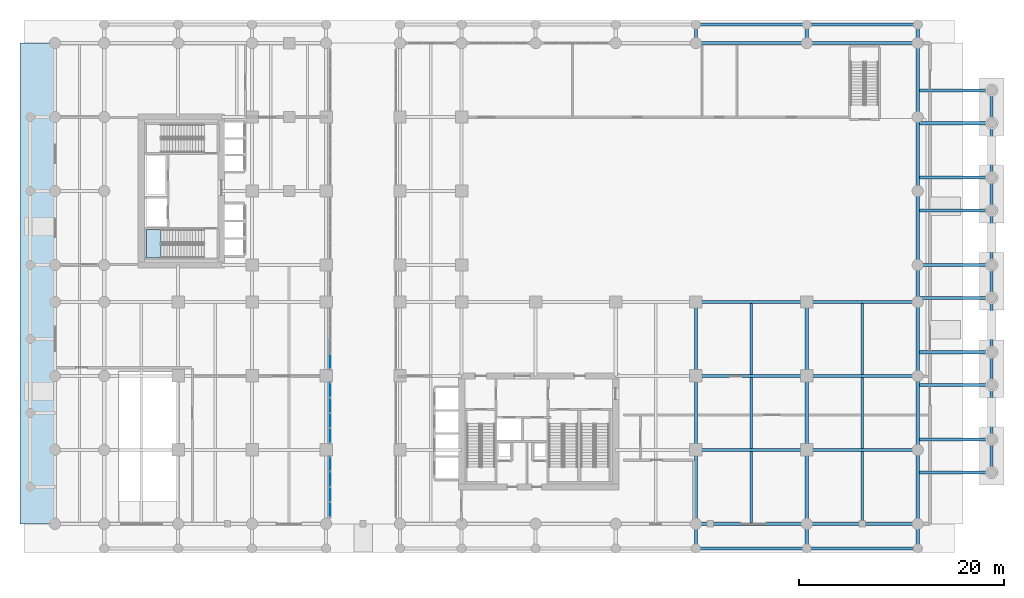
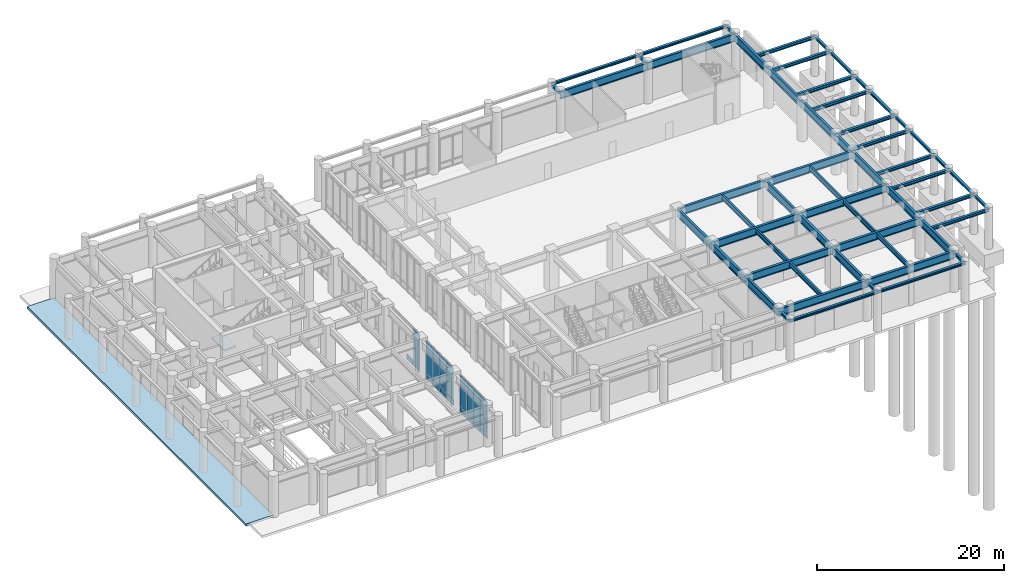
# One storey, part 9 of 23: 58 beams, 19 plates, 2 slabs, 4 elements without a shape of their own.
"""IFC4 building model written with IfcOpenShell, lengths in metres."""

import ifcopenshell
import ifcopenshell.guid

model = None  # the IFC model being written
_history = None  # IfcOwnerHistory: only IFC2X3 demands one
_inside = {}  # id of a spatial element -> (the spatial element, [elements in it])
_under = {}  # id of a project, library or spatial element -> (it, [spatial elements below it])
_declared = {}  # id of a project -> (the project, [libraries it declares])
_typed = {}  # id of a type object -> (the type object, [elements of that type])
_made_of = {}  # id of a material, layer set ... -> (it, [elements and type objects made of it])


def new_model(schema):
    """Start an empty IFC model of exactly this schema.

    Asked for "IFC4X3", IfcOpenShell would pick the latest addendum, in which some entities
    have other attributes; the version numbers below select the first issue.
    IFC2X3 requires an IfcOwnerHistory on every rooted entity: one is made here for all.
    """
    global model, _history
    if schema == "IFC4X3":
        model = ifcopenshell.file(schema_version=(4, 3, 0, 0))
    else:
        model = ifcopenshell.file(schema=schema)
    _inside.clear()
    _under.clear()
    _declared.clear()
    _typed.clear()
    _made_of.clear()
    _history = None
    if model.schema == "IFC2X3":
        org = make("IfcOrganization", Name="unknown")
        user = make(
            "IfcPersonAndOrganization",
            ThePerson=make("IfcPerson", FamilyName="unknown"),
            TheOrganization=org,
        )
        app = make(
            "IfcApplication",
            ApplicationDeveloper=org,
            Version="unknown",
            ApplicationFullName="unknown",
            ApplicationIdentifier="unknown",
        )
        _history = make(
            "IfcOwnerHistory",
            OwningUser=user,
            OwningApplication=app,
            ChangeAction="ADDED",
            CreationDate=0,
        )
    return model


def make(cls, **values):
    """One entity of the class cls with the attributes given. An attribute that is None is left unset."""
    return model.create_entity(
        cls, **{name: value for name, value in values.items() if value is not None}
    )


def rooted(cls, **values):
    """An entity with a GlobalId (a new one), such as an element, a storey or a relation."""
    return make(cls, GlobalId=ifcopenshell.guid.new(), OwnerHistory=_history, **values)


def si_unit(unit_type, name, prefix=None):
    """IfcSIUnit, for example si_unit("LENGTHUNIT", "METRE", prefix="MILLI")."""
    return make("IfcSIUnit", UnitType=unit_type, Prefix=prefix, Name=name)


def derived_unit(unit_type, elements):
    """IfcDerivedUnit: a product of units, each with its exponent."""
    return make(
        "IfcDerivedUnit",
        Elements=[
            make("IfcDerivedUnitElement", Unit=unit, Exponent=power)
            for unit, power in elements
        ],
        UnitType=unit_type,
    )


def assignment(units):
    """IfcUnitAssignment: the units of a project."""
    return None if units is None else make("IfcUnitAssignment", Units=units)


def point(xyz):
    """IfcCartesianPoint."""
    return None if xyz is None else make("IfcCartesianPoint", Coordinates=xyz)


def direction(xyz):
    """IfcDirection."""
    return None if xyz is None else make("IfcDirection", DirectionRatios=xyz)


def frame(location, z_axis=None, x_axis=None):
    """IfcAxis2Placement3D, a coordinate frame: its origin and axes. An axis left out is left unset."""
    return make(
        "IfcAxis2Placement3D",
        Location=point(location),
        Axis=direction(z_axis),
        RefDirection=direction(x_axis),
    )


def frame_2d(location, x_axis=None):
    """IfcAxis2Placement2D, a coordinate frame in the plane: its origin and x axis."""
    return make(
        "IfcAxis2Placement2D", Location=point(location), RefDirection=direction(x_axis)
    )


def origin():
    """The frame at (0, 0, 0) with its axes left unset."""
    return frame((0.0, 0.0, 0.0))


def origin_2d():
    """The frame at (0, 0) in the plane with its x axis left unset."""
    return frame_2d((0.0, 0.0))


def place(relative_to, where):
    """IfcLocalPlacement: puts the frame where relative to a parent placement (None: the world)."""
    return make(
        "IfcLocalPlacement", PlacementRelTo=relative_to, RelativePlacement=where
    )


def context(
    kind, dimensions, precision=None, world=None, true_north=None, identifier=None
):
    """IfcGeometricRepresentationContext, for example the 3D "Model" context."""
    return make(
        "IfcGeometricRepresentationContext",
        ContextIdentifier=identifier,
        ContextType=kind,
        CoordinateSpaceDimension=dimensions,
        Precision=precision,
        WorldCoordinateSystem=world,
        TrueNorth=true_north,
    )


def subcontext(parent, identifier, kind, view, scale=None):
    """IfcGeometricRepresentationSubContext, for example "Body" below "Model"."""
    return make(
        "IfcGeometricRepresentationSubContext",
        ContextIdentifier=identifier,
        ContextType=kind,
        ParentContext=parent,
        TargetScale=scale,
        TargetView=view,
    )


def project(units=None, contexts=None):
    """IfcProject with its units and contexts."""
    return rooted(
        "IfcProject",
        Name="project",
        RepresentationContexts=contexts,
        UnitsInContext=assignment(units),
    )


def spatial(cls, under=None, at=None, **own):
    """A site, building, storey or space (cls), placed at a placement, below another one or the project."""
    s = rooted(cls, ObjectPlacement=at, **own)
    if under is not None:
        _under.setdefault(under.id(), (under, []))[1].append(s)
    return s


def polyline(points):
    """IfcPolyline through the points."""
    return make("IfcPolyline", Points=[point(p) for p in points])


def profile(cls, at=None, kind="AREA", **sizes):
    """A parametric profile (cls). Its sizes go by their IFC names, for example OverallWidth=200.0."""
    return make(cls, ProfileType=kind, Position=at, **sizes)


def rectangle(**sizes):
    """IfcRectangleProfileDef."""
    return profile("IfcRectangleProfileDef", **sizes)


def i_section(**sizes):
    """IfcIShapeProfileDef."""
    return profile("IfcIShapeProfileDef", **sizes)


def outline(outer, holes=None, kind="AREA"):
    """IfcArbitraryClosedProfileDef: a profile drawn as a closed curve; with holes, ...WithVoids."""
    if holes is None:
        return make("IfcArbitraryClosedProfileDef", ProfileType=kind, OuterCurve=outer)
    return make(
        "IfcArbitraryProfileDefWithVoids",
        ProfileType=kind,
        OuterCurve=outer,
        InnerCurves=holes,
    )


def extrude(swept, where, along, depth):
    """IfcExtrudedAreaSolid: the profile swept, set in the frame where, extruded along a direction by depth."""
    return make(
        "IfcExtrudedAreaSolid",
        SweptArea=swept,
        Position=where,
        ExtrudedDirection=direction(along),
        Depth=depth,
    )


def shape(context_of_items, identifier, shape_type, items):
    """IfcShapeRepresentation: the items that make up one representation, for example the "Body"."""
    return make(
        "IfcShapeRepresentation",
        ContextOfItems=context_of_items,
        RepresentationIdentifier=identifier,
        RepresentationType=shape_type,
        Items=items,
    )


def source(mapping_origin, context_of_items, identifier, shape_type, items):
    """IfcRepresentationMap: a shape defined once, which mapped items show again and again."""
    return make(
        "IfcRepresentationMap",
        MappingOrigin=mapping_origin,
        MappedRepresentation=shape(context_of_items, identifier, shape_type, items),
    )


def transform(
    local_origin,
    x_axis=None,
    y_axis=None,
    z_axis=None,
    scale=None,
    scale2=None,
    scale3=None,
    uniform=True,
):
    """IfcCartesianTransformationOperator3D, or its non-uniform kind. x_axis, y_axis, z_axis: its Axis1, 2, 3."""
    if uniform:
        return make(
            "IfcCartesianTransformationOperator3D",
            Axis1=direction(x_axis),
            Axis2=direction(y_axis),
            LocalOrigin=point(local_origin),
            Scale=scale,
            Axis3=direction(z_axis),
        )
    return make(
        "IfcCartesianTransformationOperator3DnonUniform",
        Axis1=direction(x_axis),
        Axis2=direction(y_axis),
        LocalOrigin=point(local_origin),
        Scale=scale,
        Axis3=direction(z_axis),
        Scale2=scale2,
        Scale3=scale3,
    )


def mapped(mapping_source, mapping_target):
    """IfcMappedItem: shows the shape of a source again, moved by a transform."""
    return make(
        "IfcMappedItem", MappingSource=mapping_source, MappingTarget=mapping_target
    )


def material(Name=None, Category=None):
    """IfcMaterial."""
    return make("IfcMaterial", Name=Name, Category=Category)


def layer(
    of_material, thickness, ventilated=None, Name=None, Category=None, Priority=None
):
    """IfcMaterialLayer: one layer of a wall or slab, of a material (None: an air gap)."""
    return make(
        "IfcMaterialLayer",
        Material=of_material,
        LayerThickness=thickness,
        IsVentilated=ventilated,
        Name=Name,
        Category=Category,
        Priority=Priority,
    )


def layer_set(layers, Name=None):
    """IfcMaterialLayerSet."""
    return make("IfcMaterialLayerSet", MaterialLayers=layers, LayerSetName=Name)


def material_profile(
    of_material, cross_section, Name=None, Category=None, Priority=None
):
    """IfcMaterialProfile: a cross section and its material."""
    return make(
        "IfcMaterialProfile",
        Name=Name,
        Material=of_material,
        Profile=cross_section,
        Priority=Priority,
        Category=Category,
    )


def profile_set(profiles, Name=None, composite=None):
    """IfcMaterialProfileSet."""
    return make(
        "IfcMaterialProfileSet",
        Name=Name,
        MaterialProfiles=profiles,
        CompositeProfile=composite,
    )


def made_of(thing, what):
    """Note that an element or type object is made of a material, layer set ...; save() writes the relation."""
    if what is not None:
        _made_of.setdefault(what.id(), (what, []))[1].append(thing)
    return thing


def type_object(cls, material=None, **own):
    """A type object (cls), such as IfcWallType, which elements share."""
    return made_of(rooted(cls, **own), material)


def type_shapes(of_type, sources):
    """Give a type object the sources (RepresentationMaps) that its elements show as mapped items."""
    of_type.RepresentationMaps = sources


def element(
    cls,
    number,
    at=None,
    inside=None,
    cuts=None,
    type_object=None,
    material=None,
    context=None,
    identifier="Body",
    shape_type=None,
    held_by="IfcProductDefinitionShape",
    body=None,
    shapes=None,
    **own,
):
    """One element of the class cls, such as IfcWall. Its Tag is "e" and its number.

    at: its placement. inside: the storey or other place that contains it. cuts: it is an
    opening in that element (IfcRelVoidsElement). A single representation is given by context,
    identifier, shape_type and body (its items); several are given by shapes. held_by: the class
    of the entity that holds the representations. save() writes the other relations.
    """
    e = rooted(cls, Tag="e%d" % number, ObjectPlacement=at, **own)
    if body is not None:
        shapes = [shape(context, identifier, shape_type, body)]
    if shapes is not None:
        e.Representation = make(held_by, Representations=shapes)
    if inside is not None:
        _inside.setdefault(inside.id(), (inside, []))[1].append(e)
    if cuts is not None:
        rooted(
            "IfcRelVoidsElement", RelatingBuildingElement=cuts, RelatedOpeningElement=e
        )
    if type_object is not None:
        _typed.setdefault(type_object.id(), (type_object, []))[1].append(e)
    return made_of(e, material)


def aggregate(whole, parts):
    """IfcRelAggregates: a whole, such as a stair, and the parts it consists of."""
    return rooted("IfcRelAggregates", RelatingObject=whole, RelatedObjects=parts)


def save(model, path):
    """Write the relations noted so far, then the file.

    IfcRelAggregates (storeys below a building ...), IfcRelContainedInSpatialStructure (elements
    in a storey), IfcRelDefinesByType, IfcRelAssociatesMaterial and IfcRelDeclares: one each for
    every whole, place, type object, material and project.
    """
    for whole, parts in _under.values():
        aggregate(whole, parts)
    for where, things in _inside.values():
        rooted(
            "IfcRelContainedInSpatialStructure",
            RelatedElements=things,
            RelatingStructure=where,
        )
    for kind, things in _typed.values():
        rooted("IfcRelDefinesByType", RelatedObjects=things, RelatingType=kind)
    for what, things in _made_of.values():
        rooted("IfcRelAssociatesMaterial", RelatedObjects=things, RelatingMaterial=what)
    for by, libraries in _declared.values():
        rooted("IfcRelDeclares", RelatingContext=by, RelatedDefinitions=libraries)
    model.write(path)


model = new_model("IFC4")

# Units and contexts
model_context = context("Model", 3, precision=1e-05, world=origin(), true_north=direction((0.0, 1.0)))
body_context = subcontext(model_context, "Body", "Model", "MODEL_VIEW")
ifc_project = project(units=[si_unit("LENGTHUNIT", "METRE"), si_unit("AREAUNIT", "SQUARE_METRE"), si_unit("VOLUMEUNIT", "CUBIC_METRE"), si_unit("PLANEANGLEUNIT", "RADIAN"), si_unit("MASSUNIT", "GRAM", prefix="KILO"), si_unit("THERMODYNAMICTEMPERATUREUNIT", "KELVIN"), si_unit("POWERUNIT", "WATT"), derived_unit("THERMALTRANSMITTANCEUNIT", [(si_unit("POWERUNIT", "WATT"), 1), (si_unit("AREAUNIT", "SQUARE_METRE"), -1), (si_unit("THERMODYNAMICTEMPERATUREUNIT", "KELVIN"), -1)])], contexts=[model_context])

# Site, building, storey
site_placement = place(None, origin())
site = spatial("IfcSite", under=ifc_project, at=site_placement, CompositionType="ELEMENT")
building_placement = place(site_placement, origin())
building = spatial("IfcBuilding", under=site, at=building_placement, Name="Zahravan Archway Hotel and Residences", CompositionType="ELEMENT")
storey_placement = place(building_placement, origin())
storey = spatial("IfcBuildingStorey", under=building, at=storey_placement, Name="L00", CompositionType="ELEMENT", Elevation=0.0)

# Beams
ifc_material_1 = material(Name="Structural Steel S355J2", Category="steel")
ifc_material_profile_1 = material_profile(ifc_material_1, i_section(OverallWidth=0.300048828125, OverallDepth=1.0, WebThickness=0.01904296875, FlangeThickness=0.035888671875, FilletRadius=0.030029296875, at=origin_2d()), Name="HEB 1000", Category="steel")
ifc_profile_set_1 = profile_set([ifc_material_profile_1], Name="Structural Steel S355J2")
beam_type_1 = type_object("IfcBeamType", Name="BM-PRI-HEB1000", PredefinedType="BEAM", material=ifc_profile_set_1)
shared_shape_1 = source(origin(), body_context, "Body", "SweptSolid", [
    extrude(i_section(OverallWidth=0.300048828125, OverallDepth=1.0, WebThickness=0.01904296875, FlangeThickness=0.035888671875, FilletRadius=0.030029296875, at=origin_2d()), origin(), (0.0, 0.0, 1.0), 7.199951171875),
])
for number, where, z_axis, x_axis, name in (
    (1, (57.60009765625, 0.0, 4.60009765625), (0.0, 1.0, 0.0), (-1.0, 0.0, 0.0), "L00 Primary Girder NS-109"),
    (2, (57.60009765625, 7.199951171875, 4.60009765625), (0.0, 1.0, 0.0), (-1.0, 0.0, 0.0), "L00 Primary Girder NS-110"),
    (3, (68.39990234375, 0.0, 4.60009765625), (0.0, 1.0, 0.0), (-1.0, 0.0, 0.0), "L00 Primary Girder NS-112"),
    (4, (68.39990234375, 7.199951171875, 4.60009765625), (0.0, 1.0, 0.0), (-1.0, 0.0, 0.0), "L00 Primary Girder NS-113"),
    (5, (79.199951171875, 0.0, 4.60009765625), (0.0, 1.0, 0.0), (-1.0, 0.0, 0.0), "L00 Primary Girder NS-115"),
    (6, (79.199951171875, 7.199951171875, 4.60009765625), (0.0, 1.0, 0.0), (-1.0, 0.0, 0.0), "L00 Primary Girder NS-116"),
    (7, (79.199951171875, 25.199951171875, 4.60009765625), (0.0, 1.0, 0.0), (-1.0, 0.0, 0.0), "L00 Primary Girder NS-119"),
    (8, (79.199951171875, 39.60009765625, 4.60009765625), (0.0, 1.0, 0.0), (-1.0, 0.0, 0.0), "L00 Primary Girder NS-121"),
):
    element("IfcBeam", number, at=place(storey_placement, frame(where, z_axis=z_axis, x_axis=x_axis)), inside=storey, type_object=beam_type_1, Name=name, PredefinedType="BEAM", context=body_context, shape_type="MappedRepresentation", body=[
        mapped(shared_shape_1, transform((0.0, 0.0, 0.0), scale=1.0)),
    ])
shared_shape_2 = source(origin(), body_context, "Body", "SweptSolid", [
    extrude(i_section(OverallWidth=0.300048828125, OverallDepth=1.0, WebThickness=0.01904296875, FlangeThickness=0.035888671875, FilletRadius=0.030029296875, at=origin_2d()), origin(), (0.0, 0.0, 1.0), 7.2001953125),
])
for number, where, z_axis, x_axis, name in (
    (9, (57.60009765625, 14.39990234375, 4.60009765625), (0.0, 1.0, 0.0), (-1.0, 0.0, 0.0), "L00 Primary Girder NS-111"),
    (10, (68.39990234375, 14.39990234375, 4.60009765625), (0.0, 1.0, 0.0), (-1.0, 0.0, 0.0), "L00 Primary Girder NS-114"),
    (11, (79.199951171875, 14.39990234375, 4.60009765625), (0.0, 1.0, 0.0), (-1.0, 0.0, 0.0), "L00 Primary Girder NS-117"),
    (12, (79.199951171875, 32.39990234375, 4.60009765625), (0.0, 1.0, 0.0), (-1.0, 0.0, 0.0), "L00 Primary Girder NS-120"),
):
    element("IfcBeam", number, at=place(storey_placement, frame(where, z_axis=z_axis, x_axis=x_axis)), inside=storey, type_object=beam_type_1, Name=name, PredefinedType="BEAM", context=body_context, shape_type="MappedRepresentation", body=[
        mapped(shared_shape_2, transform((0.0, 0.0, 0.0), scale=1.0)),
    ])
shared_shape_3 = source(origin(), body_context, "Body", "SweptSolid", [
    extrude(i_section(OverallWidth=0.300048828125, OverallDepth=1.0, WebThickness=0.01904296875, FlangeThickness=0.035888671875, FilletRadius=0.030029296875, at=origin_2d()), origin(), (0.0, 0.0, 1.0), 10.7998046875),
])
for number, where, z_axis, x_axis, name in (
    (13, (57.60009765625, 0.0, 4.60009765625), (1.0, 0.0, 0.0), (0.0, 1.0, 0.0), "L00 Primary Girder EW-09"),
    (14, (57.60009765625, 7.199951171875, 4.60009765625), (1.0, 0.0, 0.0), (0.0, 1.0, 0.0), "L00 Primary Girder EW-17"),
    (15, (57.60009765625, 14.39990234375, 4.60009765625), (1.0, 0.0, 0.0), (0.0, 1.0, 0.0), "L00 Primary Girder EW-25"),
    (16, (57.60009765625, 21.60009765625, 4.60009765625), (1.0, 0.0, 0.0), (0.0, 1.0, 0.0), "L00 Primary Girder EW-35"),
    (17, (57.60009765625, 46.800048828125, 4.60009765625), (1.0, 0.0, 0.0), (0.0, 1.0, 0.0), "L00 Primary Girder EW-60"),
):
    element("IfcBeam", number, at=place(storey_placement, frame(where, z_axis=z_axis, x_axis=x_axis)), inside=storey, type_object=beam_type_1, Name=name, PredefinedType="BEAM", context=body_context, shape_type="MappedRepresentation", body=[
        mapped(shared_shape_3, transform((0.0, 0.0, 0.0), scale=1.0)),
    ])
shared_shape_4 = source(origin(), body_context, "Body", "SweptSolid", [
    extrude(i_section(OverallWidth=0.300048828125, OverallDepth=1.0, WebThickness=0.01904296875, FlangeThickness=0.035888671875, FilletRadius=0.030029296875, at=origin_2d()), origin(), (0.0, 0.0, 1.0), 10.800048828125),
])
for number, where, z_axis, x_axis, name in (
    (18, (68.39990234375, 0.0, 4.60009765625), (1.0, 0.0, 0.0), (0.0, 1.0, 0.0), "L00 Primary Girder EW-10"),
    (19, (68.39990234375, 7.199951171875, 4.60009765625), (1.0, 0.0, 0.0), (0.0, 1.0, 0.0), "L00 Primary Girder EW-18"),
    (20, (68.39990234375, 14.39990234375, 4.60009765625), (1.0, 0.0, 0.0), (0.0, 1.0, 0.0), "L00 Primary Girder EW-26"),
    (21, (68.39990234375, 21.60009765625, 4.60009765625), (1.0, 0.0, 0.0), (0.0, 1.0, 0.0), "L00 Primary Girder EW-36"),
    (22, (68.39990234375, 46.800048828125, 4.60009765625), (1.0, 0.0, 0.0), (0.0, 1.0, 0.0), "L00 Primary Girder EW-61"),
):
    element("IfcBeam", number, at=place(storey_placement, frame(where, z_axis=z_axis, x_axis=x_axis)), inside=storey, type_object=beam_type_1, Name=name, PredefinedType="BEAM", context=body_context, shape_type="MappedRepresentation", body=[
        mapped(shared_shape_4, transform((0.0, 0.0, 0.0), scale=1.0)),
    ])
shared_shape_5 = source(origin(), body_context, "Body", "SweptSolid", [
    extrude(i_section(OverallWidth=0.300048828125, OverallDepth=1.0, WebThickness=0.01904296875, FlangeThickness=0.035888671875, FilletRadius=0.030029296875, at=origin_2d()), origin(), (0.0, 0.0, 1.0), 3.599853515625),
])
beam_placement = place(storey_placement, frame((79.199951171875, 21.60009765625, 4.60009765625), z_axis=(0.0, 1.0, 0.0), x_axis=(-1.0, 0.0, 0.0)))
element("IfcBeam", 23, at=beam_placement, inside=storey, type_object=beam_type_1, Name="L00 Primary Girder NS-118", PredefinedType="BEAM", context=body_context, shape_type="MappedRepresentation", body=[
    mapped(shared_shape_5, transform((0.0, 0.0, 0.0), scale=1.0)),
])
ifc_material_2 = material(Name="Structural Steel S355JR", Category="steel")
ifc_material_profile_2 = material_profile(ifc_material_2, i_section(OverallWidth=0.219970703125, OverallDepth=0.60009765625, WebThickness=0.011962890625, FlangeThickness=0.01904296875, FilletRadius=0.02392578125, at=origin_2d()), Name="IPE 600", Category="steel")
ifc_profile_set_2 = profile_set([ifc_material_profile_2], Name="Structural Steel S355JR")
beam_type_2 = type_object("IfcBeamType", Name="BM-JST-IPE600", PredefinedType="JOIST", material=ifc_profile_set_2)
shared_shape_6 = source(origin(), body_context, "Body", "SweptSolid", [
    extrude(i_section(OverallWidth=0.219970703125, OverallDepth=0.60009765625, WebThickness=0.011962890625, FlangeThickness=0.01904296875, FilletRadius=0.02392578125, at=origin_2d()), origin(), (0.0, 0.0, 1.0), 6.904052734375),
])
type_shapes(beam_type_2, [shared_shape_6])
for number, where, z_axis, x_axis, name in (
    (24, (63.0, 0.14794921875, 4.800048828125), (0.0, 1.0, 0.0), (-1.0, 0.0, 0.0), "L00 Composite Floor Joist 07"),
    (25, (73.800048828125, 0.14794921875, 4.800048828125), (0.0, 1.0, 0.0), (-1.0, 0.0, 0.0), "L00 Composite Floor Joist 08"),
    (26, (63.0, 7.347900390625, 4.800048828125), (0.0, 1.0, 0.0), (-1.0, 0.0, 0.0), "L00 Composite Floor Joist 15"),
    (27, (73.800048828125, 7.347900390625, 4.800048828125), (0.0, 1.0, 0.0), (-1.0, 0.0, 0.0), "L00 Composite Floor Joist 16"),
):
    element("IfcBeam", number, at=place(storey_placement, frame(where, z_axis=z_axis, x_axis=x_axis)), inside=storey, type_object=beam_type_2, Name=name, PredefinedType="JOIST", context=body_context, shape_type="MappedRepresentation", body=[
        mapped(shared_shape_6, transform((0.0, 0.0, 0.0), scale=1.0)),
    ])
shared_shape_7 = source(origin(), body_context, "Body", "SweptSolid", [
    extrude(i_section(OverallWidth=0.219970703125, OverallDepth=0.60009765625, WebThickness=0.011962890625, FlangeThickness=0.01904296875, FilletRadius=0.02392578125, at=origin_2d()), origin(), (0.0, 0.0, 1.0), 6.90380859375),
])
for number, where, z_axis, x_axis, name in (
    (28, (63.0, 14.548095703125, 4.800048828125), (0.0, 1.0, 0.0), (-1.0, 0.0, 0.0), "L00 Composite Floor Joist 23"),
    (29, (73.800048828125, 14.548095703125, 4.800048828125), (0.0, 1.0, 0.0), (-1.0, 0.0, 0.0), "L00 Composite Floor Joist 24"),
):
    element("IfcBeam", number, at=place(storey_placement, frame(where, z_axis=z_axis, x_axis=x_axis)), inside=storey, type_object=beam_type_2, Name=name, PredefinedType="JOIST", context=body_context, shape_type="MappedRepresentation", body=[
        mapped(shared_shape_7, transform((0.0, 0.0, 0.0), scale=1.0)),
    ])
ifc_material_profile_3 = material_profile(ifc_material_2, i_section(OverallWidth=0.300048828125, OverallDepth=0.39990234375, WebThickness=0.013427734375, FlangeThickness=0.02392578125, FilletRadius=0.027099609375, at=origin_2d()), Name="HEB 400", Category="steel")
ifc_profile_set_3 = profile_set([ifc_material_profile_3], Name="Structural Steel S355JR")
beam_type_3 = type_object("IfcBeamType", Name="BM-PRI-HEB400", PredefinedType="BEAM", material=ifc_profile_set_3)
shared_shape_8 = source(origin(), body_context, "Body", "SweptSolid", [
    extrude(i_section(OverallWidth=0.300048828125, OverallDepth=0.39990234375, WebThickness=0.013427734375, FlangeThickness=0.02392578125, FilletRadius=0.027099609375, at=origin_2d()), origin(), (0.0, 0.0, 1.0), 7.199951171875),
])
type_shapes(beam_type_3, [shared_shape_8])
for number, where, z_axis, x_axis, name in (
    (30, (79.199951171875, 5.0, 4.89990234375), (1.0, 0.0, 0.0), (0.0, 1.0, 0.0), "L00 East Colonnade Tie Girder 1"),
    (31, (79.199951171875, 8.199951171875, 4.89990234375), (1.0, 0.0, 0.0), (0.0, 1.0, 0.0), "L00 East Colonnade Tie Girder 2"),
    (32, (79.199951171875, 13.5, 4.89990234375), (1.0, 0.0, 0.0), (0.0, 1.0, 0.0), "L00 East Colonnade Tie Girder 3"),
    (33, (79.199951171875, 16.699951171875, 4.89990234375), (1.0, 0.0, 0.0), (0.0, 1.0, 0.0), "L00 East Colonnade Tie Girder 4"),
    (34, (79.199951171875, 22.0, 4.89990234375), (1.0, 0.0, 0.0), (0.0, 1.0, 0.0), "L00 East Colonnade Tie Girder 5"),
    (35, (79.199951171875, 25.199951171875, 4.89990234375), (1.0, 0.0, 0.0), (0.0, 1.0, 0.0), "L00 East Colonnade Tie Girder 6"),
    (36, (79.199951171875, 30.5, 4.89990234375), (1.0, 0.0, 0.0), (0.0, 1.0, 0.0), "L00 East Colonnade Tie Girder 7"),
    (37, (79.199951171875, 33.699951171875, 4.89990234375), (1.0, 0.0, 0.0), (0.0, 1.0, 0.0), "L00 East Colonnade Tie Girder 8"),
    (38, (79.199951171875, 39.0, 4.89990234375), (1.0, 0.0, 0.0), (0.0, 1.0, 0.0), "L00 East Colonnade Tie Girder 9"),
    (39, (79.199951171875, 42.199951171875, 4.89990234375), (1.0, 0.0, 0.0), (0.0, 1.0, 0.0), "L00 East Colonnade Tie Girder 10"),
):
    element("IfcBeam", number, at=place(storey_placement, frame(where, z_axis=z_axis, x_axis=x_axis)), inside=storey, type_object=beam_type_3, Name=name, PredefinedType="BEAM", context=body_context, shape_type="MappedRepresentation", body=[
        mapped(shared_shape_8, transform((0.0, 0.0, 0.0), scale=1.0)),
    ])
shared_shape_9 = source(origin(), body_context, "Body", "SweptSolid", [
    extrude(i_section(OverallWidth=0.300048828125, OverallDepth=0.39990234375, WebThickness=0.013427734375, FlangeThickness=0.02392578125, FilletRadius=0.027099609375, at=origin_2d()), origin(), (0.0, 0.0, 1.0), 2.39990234375),
])
for number, where, z_axis, x_axis, name in (
    (40, (57.60009765625, -2.39990234375, 4.89990234375), (0.0, 1.0, 0.0), (-1.0, 0.0, 0.0), "L00 South Colonnade Tie Girder 9"),
    (41, (68.39990234375, -2.39990234375, 4.89990234375), (0.0, 1.0, 0.0), (-1.0, 0.0, 0.0), "L00 South Colonnade Tie Girder 10"),
    (42, (79.199951171875, -2.39990234375, 4.89990234375), (0.0, 1.0, 0.0), (-1.0, 0.0, 0.0), "L00 South Colonnade Tie Girder 11"),
):
    element("IfcBeam", number, at=place(storey_placement, frame(where, z_axis=z_axis, x_axis=x_axis)), inside=storey, type_object=beam_type_3, Name=name, PredefinedType="BEAM", context=body_context, shape_type="MappedRepresentation", body=[
        mapped(shared_shape_9, transform((0.0, 0.0, 0.0), scale=1.0)),
    ])
shared_shape_10 = source(origin(), body_context, "Body", "SweptSolid", [
    extrude(i_section(OverallWidth=0.300048828125, OverallDepth=0.39990234375, WebThickness=0.013427734375, FlangeThickness=0.02392578125, FilletRadius=0.027099609375, at=origin_2d()), origin(), (0.0, 0.0, 1.0), 1.800048828125),
])
for number, where, z_axis, x_axis, name in (
    (43, (57.60009765625, 46.800048828125, 4.89990234375), (0.0, 1.0, 0.0), (-1.0, 0.0, 0.0), "L00 North Colonnade Tie Girder 9"),
    (44, (68.39990234375, 46.800048828125, 4.89990234375), (0.0, 1.0, 0.0), (-1.0, 0.0, 0.0), "L00 North Colonnade Tie Girder 10"),
    (45, (79.199951171875, 46.800048828125, 4.89990234375), (0.0, 1.0, 0.0), (-1.0, 0.0, 0.0), "L00 North Colonnade Tie Girder 11"),
):
    element("IfcBeam", number, at=place(storey_placement, frame(where, z_axis=z_axis, x_axis=x_axis)), inside=storey, type_object=beam_type_3, Name=name, PredefinedType="BEAM", context=body_context, shape_type="MappedRepresentation", body=[
        mapped(shared_shape_10, transform((0.0, 0.0, 0.0), scale=1.0)),
    ])
ifc_material_profile_4 = material_profile(ifc_material_2, i_section(OverallWidth=0.300048828125, OverallDepth=0.320068359375, WebThickness=0.011474609375, FlangeThickness=0.0205078125, FilletRadius=0.027099609375, at=origin_2d()), Name="HEB 320", Category="steel")
ifc_profile_set_4 = profile_set([ifc_material_profile_4], Name="Structural Steel S355JR")
beam_type_4 = type_object("IfcBeamType", Name="BM-SPN-HEB320", PredefinedType="SPANDREL", material=ifc_profile_set_4)
shared_shape_11 = source(origin(), body_context, "Body", "SweptSolid", [
    extrude(i_section(OverallWidth=0.300048828125, OverallDepth=0.320068359375, WebThickness=0.011474609375, FlangeThickness=0.0205078125, FilletRadius=0.027099609375, at=origin_2d()), origin(), (0.0, 0.0, 1.0), 10.7998046875),
])
for number, where, z_axis, x_axis, name in (
    (46, (57.60009765625, -2.39990234375, 4.93994140625), (1.0, 0.0, 0.0), (0.0, 1.0, 0.0), "L00 South Colonnade Spandrel 9"),
    (47, (57.60009765625, 48.60009765625, 4.93994140625), (1.0, 0.0, 0.0), (0.0, 1.0, 0.0), "L00 North Colonnade Spandrel 9"),
):
    element("IfcBeam", number, at=place(storey_placement, frame(where, z_axis=z_axis, x_axis=x_axis)), inside=storey, type_object=beam_type_4, Name=name, PredefinedType="SPANDREL", context=body_context, shape_type="MappedRepresentation", body=[
        mapped(shared_shape_11, transform((0.0, 0.0, 0.0), scale=1.0)),
    ])
shared_shape_12 = source(origin(), body_context, "Body", "SweptSolid", [
    extrude(i_section(OverallWidth=0.300048828125, OverallDepth=0.320068359375, WebThickness=0.011474609375, FlangeThickness=0.0205078125, FilletRadius=0.027099609375, at=origin_2d()), origin(), (0.0, 0.0, 1.0), 10.800048828125),
])
for number, where, z_axis, x_axis, name in (
    (48, (68.39990234375, -2.39990234375, 4.93994140625), (1.0, 0.0, 0.0), (0.0, 1.0, 0.0), "L00 South Colonnade Spandrel 10"),
    (49, (68.39990234375, 48.60009765625, 4.93994140625), (1.0, 0.0, 0.0), (0.0, 1.0, 0.0), "L00 North Colonnade Spandrel 10"),
):
    element("IfcBeam", number, at=place(storey_placement, frame(where, z_axis=z_axis, x_axis=x_axis)), inside=storey, type_object=beam_type_4, Name=name, PredefinedType="SPANDREL", context=body_context, shape_type="MappedRepresentation", body=[
        mapped(shared_shape_12, transform((0.0, 0.0, 0.0), scale=1.0)),
    ])
shared_shape_13 = source(origin(), body_context, "Body", "SweptSolid", [
    extrude(i_section(OverallWidth=0.300048828125, OverallDepth=0.320068359375, WebThickness=0.011474609375, FlangeThickness=0.0205078125, FilletRadius=0.027099609375, at=origin_2d()), origin(), (0.0, 0.0, 1.0), 3.199951171875),
])
for number, where, z_axis, x_axis, name in (
    (50, (86.39990234375, 5.0, 4.93994140625), (0.0, 1.0, 0.0), (-1.0, 0.0, 0.0), "L00 East Colonnade Spandrel 1"),
    (51, (86.39990234375, 13.5, 4.93994140625), (0.0, 1.0, 0.0), (-1.0, 0.0, 0.0), "L00 East Colonnade Spandrel 3"),
    (52, (86.39990234375, 22.0, 4.93994140625), (0.0, 1.0, 0.0), (-1.0, 0.0, 0.0), "L00 East Colonnade Spandrel 5"),
    (53, (86.39990234375, 30.5, 4.93994140625), (0.0, 1.0, 0.0), (-1.0, 0.0, 0.0), "L00 East Colonnade Spandrel 7"),
    (54, (86.39990234375, 39.0, 4.93994140625), (0.0, 1.0, 0.0), (-1.0, 0.0, 0.0), "L00 East Colonnade Spandrel 9"),
):
    element("IfcBeam", number, at=place(storey_placement, frame(where, z_axis=z_axis, x_axis=x_axis)), inside=storey, type_object=beam_type_4, Name=name, PredefinedType="SPANDREL", context=body_context, shape_type="MappedRepresentation", body=[
        mapped(shared_shape_13, transform((0.0, 0.0, 0.0), scale=1.0)),
    ])
shared_shape_14 = source(origin(), body_context, "Body", "SweptSolid", [
    extrude(i_section(OverallWidth=0.300048828125, OverallDepth=0.320068359375, WebThickness=0.011474609375, FlangeThickness=0.0205078125, FilletRadius=0.027099609375, at=origin_2d()), origin(), (0.0, 0.0, 1.0), 5.300048828125),
])
for number, where, z_axis, x_axis, name in (
    (55, (86.39990234375, 8.199951171875, 4.93994140625), (0.0, 1.0, 0.0), (-1.0, 0.0, 0.0), "L00 East Colonnade Spandrel 2"),
    (56, (86.39990234375, 16.699951171875, 4.93994140625), (0.0, 1.0, 0.0), (-1.0, 0.0, 0.0), "L00 East Colonnade Spandrel 4"),
    (57, (86.39990234375, 25.199951171875, 4.93994140625), (0.0, 1.0, 0.0), (-1.0, 0.0, 0.0), "L00 East Colonnade Spandrel 6"),
    (58, (86.39990234375, 33.699951171875, 4.93994140625), (0.0, 1.0, 0.0), (-1.0, 0.0, 0.0), "L00 East Colonnade Spandrel 8"),
):
    element("IfcBeam", number, at=place(storey_placement, frame(where, z_axis=z_axis, x_axis=x_axis)), inside=storey, type_object=beam_type_4, Name=name, PredefinedType="SPANDREL", context=body_context, shape_type="MappedRepresentation", body=[
        mapped(shared_shape_14, transform((0.0, 0.0, 0.0), scale=1.0)),
    ])

# Slab
ifc_material_3 = material(Name="Concrete C50/60", Category="concrete")
ifc_layer_1 = layer(ifc_material_3, 0.300048828125, Name="Concrete C50/60", Category="concrete")
ifc_layer_set_1 = layer_set([ifc_layer_1], Name="Concrete C50/60")
slab_type_1 = type_object("IfcSlabType", Name="SLB-FLR-300", PredefinedType="FLOOR", material=ifc_layer_set_1)
slab_1_placement = place(storey_placement, frame((0.0, 0.0, -0.300048828125)))
element("IfcSlab", 59, at=slab_1_placement, inside=storey, type_object=slab_type_1, Name="West Colonnade Plaza Slab", PredefinedType="BASESLAB", context=body_context, shape_type="SweptSolid", body=[
    extrude(outline(polyline([(-8.199951171875, -0.02001953125), (-4.820068359375, -0.02001953125), (-4.820068359375, 46.800048828125), (-8.199951171875, 46.800048828125), (-8.199951171875, -0.02001953125)])), origin(), (0.0, 0.0, 1.0), 0.300048828125),
])

# Stair, slab
stair_type = type_object("IfcStairType", Name="STR-CORE-1300", PredefinedType="HALF_TURN_STAIR", material=ifc_material_3)
stair_placement = place(storey_placement, origin())
stair = element("IfcStair", 60, at=stair_placement, inside=storey, type_object=stair_type, Name="L00 Core B Exit Stair 1", PredefinedType="HALF_TURN_STAIR")
ifc_layer_2 = layer(ifc_material_3, 0.199951171875, Name="Concrete C50/60", Category="concrete")
ifc_layer_set_2 = layer_set([ifc_layer_2], Name="Concrete C50/60")
slab_type_2 = type_object("IfcSlabType", Name="SLB-LND-200", PredefinedType="LANDING", material=ifc_layer_set_2)
slab_2_placement = place(storey_placement, frame((0.0, 0.0, 2.5)))
slab_2 = element("IfcSlab", 61, at=slab_2_placement, type_object=slab_type_2, Name="ST-B1 landing 1", PredefinedType="LANDING", context=body_context, shape_type="SweptSolid", body=[
    extrude(outline(polyline([(5.530029296875, 28.639892578125), (4.10009765625, 28.639892578125), (4.10009765625, 25.89990234375), (5.530029296875, 25.89990234375), (5.530029296875, 28.639892578125)])), origin(), (0.0, 0.0, 1.0), 0.199951171875),
])
aggregate(stair, [slab_2])

# Curtain wall, plates
ifc_material_4 = material(Name="Bronze-Anodized Unitised Aluminium & Low-E Glass", Category="aluminium")
ifc_layer_3 = layer(ifc_material_4, 0.179931640625, Name="Bronze-Anodized Unitised Aluminium & Low-E Glass", Category="aluminium")
ifc_layer_set_3 = layer_set([ifc_layer_3], Name="Bronze-Anodized Unitised Aluminium & Low-E Glass")
curtain_wall_type = type_object("IfcCurtainWallType", Name="CW-POD-ARCH", PredefinedType="NOTDEFINED", material=ifc_layer_set_3)
curtain_wall_1_placement = place(storey_placement, origin())
curtain_wall_1 = element("IfcCurtainWall", 62, at=curtain_wall_1_placement, inside=storey, type_object=curtain_wall_type, Name="L00 Curtain Wall CW-PORTW-L00-1", PredefinedType="NOTDEFINED")
ifc_material_5 = material(Name="Insulated Terracotta Spandrel Panel", Category="masonry")
ifc_layer_4 = layer(ifc_material_5, 0.0400390625, Name="Insulated Terracotta Spandrel Panel", Category="masonry")
ifc_layer_set_4 = layer_set([ifc_layer_4], Name="Insulated Terracotta Spandrel Panel")
plate_type_1 = type_object("IfcPlateType", Name="CWP-SPN-40", PredefinedType="SHEET", material=ifc_layer_set_4)
shared_shape_15 = source(origin(), body_context, "Body", "SweptSolid", [
    extrude(rectangle(XDim=1.3974609375, YDim=0.0400390625, at=origin_2d()), origin(), (0.0, 0.0, 1.0), 0.7099609375),
])
plate_1_placement = place(storey_placement, frame((22.0, 1.3837890625, 0.10009765625), z_axis=(0.0, 0.0, 1.0), x_axis=(0.0, 1.0, 0.0)))
plate_1 = element("IfcPlate", 63, at=plate_1_placement, type_object=plate_type_1, Name="CW-PORTW-L00-1 Spandrel Panel 0", PredefinedType="SHEET", context=body_context, shape_type="MappedRepresentation", body=[
    mapped(shared_shape_15, transform((0.0, 0.0, 0.0), scale=1.0)),
])
plate_2_placement = place(storey_placement, frame((22.0, 2.861328125, 0.10009765625), z_axis=(0.0, 0.0, 1.0), x_axis=(0.0, 1.0, 0.0)))
plate_2 = element("IfcPlate", 64, at=plate_2_placement, type_object=plate_type_1, Name="CW-PORTW-L00-1 Spandrel Panel 1", PredefinedType="SHEET", context=body_context, shape_type="MappedRepresentation", body=[
    mapped(shared_shape_15, transform((0.0, 0.0, 0.0), scale=1.0)),
])
plate_3_placement = place(storey_placement, frame((22.0, 4.338623046875, 0.10009765625), z_axis=(0.0, 0.0, 1.0), x_axis=(0.0, 1.0, 0.0)))
plate_3 = element("IfcPlate", 65, at=plate_3_placement, type_object=plate_type_1, Name="CW-PORTW-L00-1 Spandrel Panel 2", PredefinedType="SHEET", context=body_context, shape_type="MappedRepresentation", body=[
    mapped(shared_shape_15, transform((0.0, 0.0, 0.0), scale=1.0)),
])
plate_4_placement = place(storey_placement, frame((22.0, 5.816162109375, 0.10009765625), z_axis=(0.0, 0.0, 1.0), x_axis=(0.0, 1.0, 0.0)))
plate_4 = element("IfcPlate", 66, at=plate_4_placement, type_object=plate_type_1, Name="CW-PORTW-L00-1 Spandrel Panel 3", PredefinedType="SHEET", context=body_context, shape_type="MappedRepresentation", body=[
    mapped(shared_shape_15, transform((0.0, 0.0, 0.0), scale=1.0)),
])

curtain_wall_2_placement = place(storey_placement, origin())
curtain_wall_2 = element("IfcCurtainWall", 67, at=curtain_wall_2_placement, inside=storey, type_object=curtain_wall_type, Name="L00 Curtain Wall CW-PORTW-L00-2", PredefinedType="NOTDEFINED")
plate_5_placement = place(storey_placement, frame((22.0, 8.583984375, 0.10009765625), z_axis=(0.0, 0.0, 1.0), x_axis=(0.0, 1.0, 0.0)))
plate_5 = element("IfcPlate", 68, at=plate_5_placement, type_object=plate_type_1, Name="CW-PORTW-L00-2 Spandrel Panel 0", PredefinedType="SHEET", context=body_context, shape_type="MappedRepresentation", body=[
    mapped(shared_shape_15, transform((0.0, 0.0, 0.0), scale=1.0)),
])
plate_6_placement = place(storey_placement, frame((22.0, 10.061279296875, 0.10009765625), z_axis=(0.0, 0.0, 1.0), x_axis=(0.0, 1.0, 0.0)))
plate_6 = element("IfcPlate", 69, at=plate_6_placement, type_object=plate_type_1, Name="CW-PORTW-L00-2 Spandrel Panel 1", PredefinedType="SHEET", context=body_context, shape_type="MappedRepresentation", body=[
    mapped(shared_shape_15, transform((0.0, 0.0, 0.0), scale=1.0)),
])
plate_7_placement = place(storey_placement, frame((22.0, 11.538818359375, 0.10009765625), z_axis=(0.0, 0.0, 1.0), x_axis=(0.0, 1.0, 0.0)))
plate_7 = element("IfcPlate", 70, at=plate_7_placement, type_object=plate_type_1, Name="CW-PORTW-L00-2 Spandrel Panel 2", PredefinedType="SHEET", context=body_context, shape_type="MappedRepresentation", body=[
    mapped(shared_shape_15, transform((0.0, 0.0, 0.0), scale=1.0)),
])
plate_8_placement = place(storey_placement, frame((22.0, 13.01611328125, 0.10009765625), z_axis=(0.0, 0.0, 1.0), x_axis=(0.0, 1.0, 0.0)))
plate_8 = element("IfcPlate", 71, at=plate_8_placement, type_object=plate_type_1, Name="CW-PORTW-L00-2 Spandrel Panel 3", PredefinedType="SHEET", context=body_context, shape_type="MappedRepresentation", body=[
    mapped(shared_shape_15, transform((0.0, 0.0, 0.0), scale=1.0)),
])

curtain_wall_3_placement = place(storey_placement, origin())
curtain_wall_3 = element("IfcCurtainWall", 72, at=curtain_wall_3_placement, inside=storey, type_object=curtain_wall_type, Name="L00 Curtain Wall CW-PORTW-L00-3", PredefinedType="NOTDEFINED")
plate_9_placement = place(storey_placement, frame((22.0, 15.783935546875, 0.10009765625), z_axis=(0.0, 0.0, 1.0), x_axis=(0.0, 1.0, 0.0)))
plate_9 = element("IfcPlate", 73, at=plate_9_placement, type_object=plate_type_1, Name="CW-PORTW-L00-3 Spandrel Panel 0", PredefinedType="SHEET", context=body_context, shape_type="MappedRepresentation", body=[
    mapped(shared_shape_15, transform((0.0, 0.0, 0.0), scale=1.0)),
])
plate_10_placement = place(storey_placement, frame((22.0, 17.26123046875, 0.10009765625), z_axis=(0.0, 0.0, 1.0), x_axis=(0.0, 1.0, 0.0)))
plate_10 = element("IfcPlate", 74, at=plate_10_placement, type_object=plate_type_1, Name="CW-PORTW-L00-3 Spandrel Panel 1", PredefinedType="SHEET", context=body_context, shape_type="MappedRepresentation", body=[
    mapped(shared_shape_15, transform((0.0, 0.0, 0.0), scale=1.0)),
])

# Plate
ifc_material_6 = material(Name="Double-Silver Low-E Insulated Vision Glass", Category="glass")
ifc_layer_5 = layer(ifc_material_6, 0.028076171875, Name="Double-Silver Low-E Insulated Vision Glass", Category="glass")
ifc_layer_set_5 = layer_set([ifc_layer_5], Name="Double-Silver Low-E Insulated Vision Glass")
plate_type_2 = type_object("IfcPlateType", Name="CWP-GLZ-28", PredefinedType="CURTAIN_PANEL", material=ifc_layer_set_5)
shared_shape_16 = source(origin(), body_context, "Body", "SweptSolid", [
    extrude(rectangle(XDim=1.3974609375, YDim=0.028076171875, at=origin_2d()), origin(), (0.0, 0.0, 1.0), 4.110107421875),
])
plate_11_placement = place(storey_placement, frame((22.0, 1.3837890625, 0.89013671875), z_axis=(0.0, 0.0, 1.0), x_axis=(0.0, 1.0, 0.0)))
plate_11 = element("IfcPlate", 75, at=plate_11_placement, type_object=plate_type_2, Name="CW-PORTW-L00-1 Low-E Vision Panel 0", PredefinedType="CURTAIN_PANEL", context=body_context, shape_type="MappedRepresentation", body=[
    mapped(shared_shape_16, transform((0.0, 0.0, 0.0), scale=1.0)),
])

plate_12_placement = place(storey_placement, frame((22.0, 2.861328125, 0.89013671875), z_axis=(0.0, 0.0, 1.0), x_axis=(0.0, 1.0, 0.0)))
plate_12 = element("IfcPlate", 76, at=plate_12_placement, type_object=plate_type_2, Name="CW-PORTW-L00-1 Low-E Vision Panel 1", PredefinedType="CURTAIN_PANEL", context=body_context, shape_type="MappedRepresentation", body=[
    mapped(shared_shape_16, transform((0.0, 0.0, 0.0), scale=1.0)),
])

plate_13_placement = place(storey_placement, frame((22.0, 4.338623046875, 0.89013671875), z_axis=(0.0, 0.0, 1.0), x_axis=(0.0, 1.0, 0.0)))
plate_13 = element("IfcPlate", 77, at=plate_13_placement, type_object=plate_type_2, Name="CW-PORTW-L00-1 Low-E Vision Panel 2", PredefinedType="CURTAIN_PANEL", context=body_context, shape_type="MappedRepresentation", body=[
    mapped(shared_shape_16, transform((0.0, 0.0, 0.0), scale=1.0)),
])

plate_14_placement = place(storey_placement, frame((22.0, 5.816162109375, 0.89013671875), z_axis=(0.0, 0.0, 1.0), x_axis=(0.0, 1.0, 0.0)))
plate_14 = element("IfcPlate", 78, at=plate_14_placement, type_object=plate_type_2, Name="CW-PORTW-L00-1 Low-E Vision Panel 3", PredefinedType="CURTAIN_PANEL", context=body_context, shape_type="MappedRepresentation", body=[
    mapped(shared_shape_16, transform((0.0, 0.0, 0.0), scale=1.0)),
])

aggregate(curtain_wall_1, [plate_1, plate_11, plate_2, plate_12, plate_3, plate_13, plate_4, plate_14])

plate_15_placement = place(storey_placement, frame((22.0, 8.583984375, 0.89013671875), z_axis=(0.0, 0.0, 1.0), x_axis=(0.0, 1.0, 0.0)))
plate_15 = element("IfcPlate", 79, at=plate_15_placement, type_object=plate_type_2, Name="CW-PORTW-L00-2 Low-E Vision Panel 0", PredefinedType="CURTAIN_PANEL", context=body_context, shape_type="MappedRepresentation", body=[
    mapped(shared_shape_16, transform((0.0, 0.0, 0.0), scale=1.0)),
])

plate_16_placement = place(storey_placement, frame((22.0, 10.061279296875, 0.89013671875), z_axis=(0.0, 0.0, 1.0), x_axis=(0.0, 1.0, 0.0)))
plate_16 = element("IfcPlate", 80, at=plate_16_placement, type_object=plate_type_2, Name="CW-PORTW-L00-2 Low-E Vision Panel 1", PredefinedType="CURTAIN_PANEL", context=body_context, shape_type="MappedRepresentation", body=[
    mapped(shared_shape_16, transform((0.0, 0.0, 0.0), scale=1.0)),
])

plate_17_placement = place(storey_placement, frame((22.0, 11.538818359375, 0.89013671875), z_axis=(0.0, 0.0, 1.0), x_axis=(0.0, 1.0, 0.0)))
plate_17 = element("IfcPlate", 81, at=plate_17_placement, type_object=plate_type_2, Name="CW-PORTW-L00-2 Low-E Vision Panel 2", PredefinedType="CURTAIN_PANEL", context=body_context, shape_type="MappedRepresentation", body=[
    mapped(shared_shape_16, transform((0.0, 0.0, 0.0), scale=1.0)),
])

plate_18_placement = place(storey_placement, frame((22.0, 13.01611328125, 0.89013671875), z_axis=(0.0, 0.0, 1.0), x_axis=(0.0, 1.0, 0.0)))
plate_18 = element("IfcPlate", 82, at=plate_18_placement, type_object=plate_type_2, Name="CW-PORTW-L00-2 Low-E Vision Panel 3", PredefinedType="CURTAIN_PANEL", context=body_context, shape_type="MappedRepresentation", body=[
    mapped(shared_shape_16, transform((0.0, 0.0, 0.0), scale=1.0)),
])

aggregate(curtain_wall_2, [plate_5, plate_15, plate_6, plate_16, plate_7, plate_17, plate_8, plate_18])

plate_19_placement = place(storey_placement, frame((22.0, 15.783935546875, 0.89013671875), z_axis=(0.0, 0.0, 1.0), x_axis=(0.0, 1.0, 0.0)))
plate_19 = element("IfcPlate", 83, at=plate_19_placement, type_object=plate_type_2, Name="CW-PORTW-L00-3 Low-E Vision Panel 0", PredefinedType="CURTAIN_PANEL", context=body_context, shape_type="MappedRepresentation", body=[
    mapped(shared_shape_16, transform((0.0, 0.0, 0.0), scale=1.0)),
])

aggregate(curtain_wall_3, [plate_9, plate_19, plate_10])

save(model, "model.ifc")
